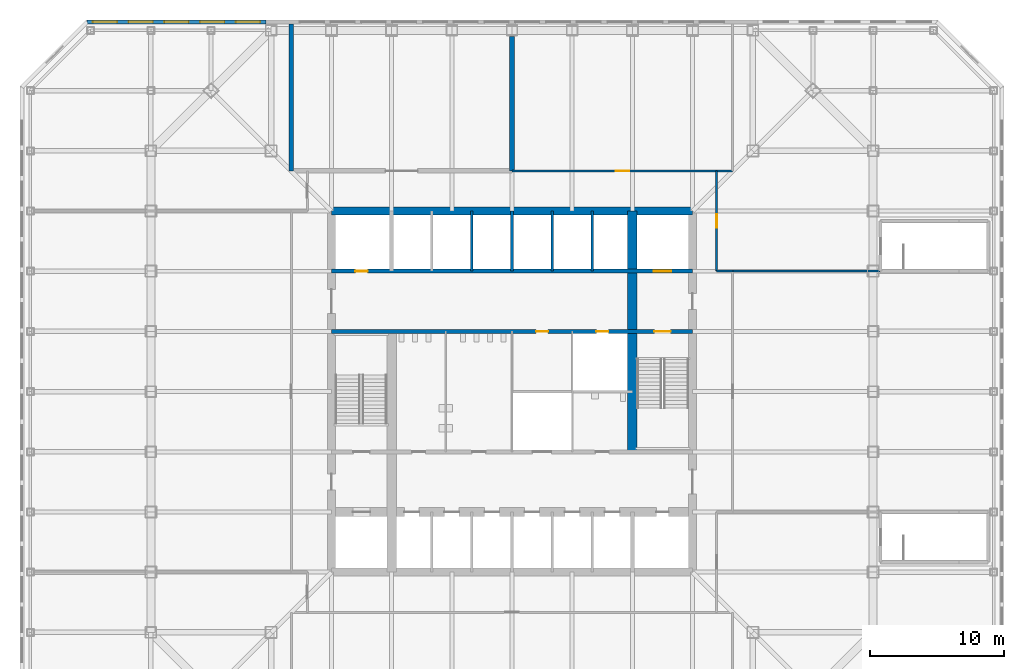
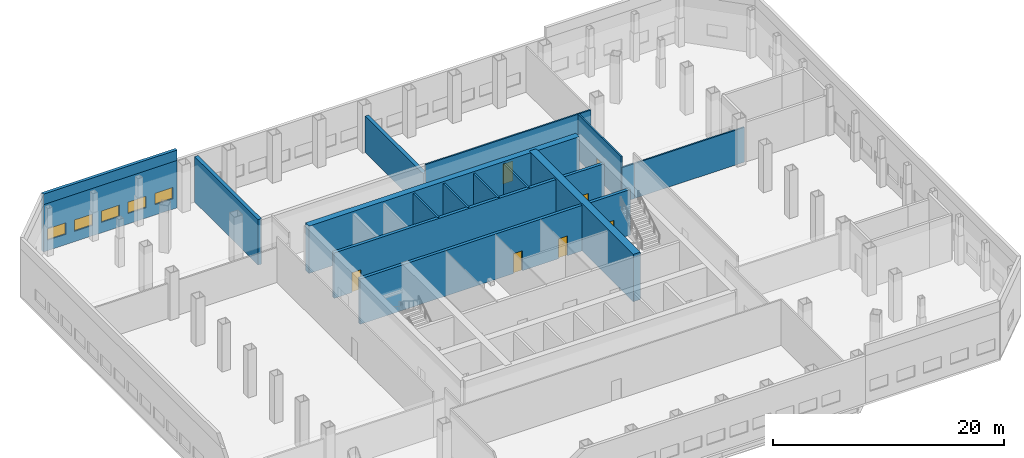
# One storey, part 9 of 14: 16 walls, 7 doors, 5 windows, 12 openings.
"""IFC4 building model written with IfcOpenShell, lengths in metres."""

from ifc_helpers import new_model, si_unit, direction, frame, frame_2d, origin, place, context, subcontext, project, spatial, rectangle, extrude, material, layer, layer_set, type_object, element, fill, save


model = new_model("IFC4")

# Units and contexts
model_context = context("Model", 3, precision=1e-05, world=origin(), true_north=direction((0.0, 1.0)))
body_context = subcontext(model_context, "Body", "Model", "MODEL_VIEW")
ifc_project = project(units=[si_unit("LENGTHUNIT", "METRE"), si_unit("AREAUNIT", "SQUARE_METRE"), si_unit("VOLUMEUNIT", "CUBIC_METRE"), si_unit("PLANEANGLEUNIT", "RADIAN"), si_unit("MASSUNIT", "GRAM", prefix="KILO")], contexts=[model_context])

# Site, building, storey
site_placement = place(None, origin())
site = spatial("IfcSite", under=ifc_project, at=site_placement, CompositionType="ELEMENT")
building_placement = place(site_placement, origin())
building = spatial("IfcBuilding", under=site, at=building_placement, Name="Corais Broadcast Tower", CompositionType="ELEMENT")
storey_placement = place(building_placement, frame((0.0, 0.0, 18.0)))
storey = spatial("IfcBuildingStorey", under=building, at=storey_placement, Name="L03", CompositionType="ELEMENT", Elevation=18.0)

# Wall, openings, doors
ifc_material_1 = material(Name="Concrete blockwork class A, grouted, two-hour", Category="masonry")
ifc_layer_1 = layer(ifc_material_1, 0.300048828125)
ifc_layer_set_1 = layer_set([ifc_layer_1], Name="Concrete blockwork class A, grouted, two-hour")
wall_type_1 = type_object("IfcWallType", Name="Core lobby wall 300", PredefinedType="SOLIDWALL", material=ifc_layer_set_1)
wall_1_placement = place(storey_placement, frame((13.5, 31.5, 0.0), z_axis=(0.0, 0.0, 1.0), x_axis=(1.0, 0.0, 0.0)))
wall_1 = element("IfcWall", 1, at=wall_1_placement, inside=storey, type_object=wall_type_1, Name="CL1 core lobby wall Y315 L03", PredefinedType="SOLIDWALL", context=body_context, shape_type="SweptSolid", body=[
    extrude(rectangle(XDim=27.0, YDim=0.300048828125, at=frame_2d((13.5, 0.0))), origin(), (0.0, 0.0, 1.0), 4.800048828125),
])
opening_1_placement = place(wall_1_placement, frame((24.14990234375, 0.0, 0.0)))
opening_1 = element("IfcOpeningElement", 2, at=opening_1_placement, cuts=wall_1, Name="Opening FD1", PredefinedType="OPENING", context=body_context, shape_type="SweptSolid", body=[
    extrude(rectangle(XDim=1.199951171875, YDim=2.10009765625, at=frame_2d((0.60009765625, 1.050048828125))), frame((0.0, 0.159912109375, 0.0), z_axis=(0.0, -1.0, 0.0), x_axis=(1.0, 0.0, 0.0)), (0.0, 0.0, 1.0), 0.320068359375),
])
opening_2_placement = place(wall_1_placement, frame((15.300048828125, 0.0, 0.0)))
opening_2 = element("IfcOpeningElement", 3, at=opening_2_placement, cuts=wall_1, Name="Opening RD1", PredefinedType="OPENING", context=body_context, shape_type="SweptSolid", body=[
    extrude(rectangle(XDim=0.89990234375, YDim=2.10009765625, at=frame_2d((0.449951171875, 1.050048828125))), frame((0.0, 0.159912109375, 0.0), z_axis=(0.0, -1.0, 0.0), x_axis=(1.0, 0.0, 0.0)), (0.0, 0.0, 1.0), 0.320068359375),
])
opening_3_placement = place(wall_1_placement, frame((19.800048828125, 0.0, 0.0)))
opening_3 = element("IfcOpeningElement", 4, at=opening_3_placement, cuts=wall_1, Name="Opening RD1", PredefinedType="OPENING", context=body_context, shape_type="SweptSolid", body=[
    extrude(rectangle(XDim=0.89990234375, YDim=2.10009765625, at=frame_2d((0.449951171875, 1.050048828125))), frame((0.0, 0.159912109375, 0.0), z_axis=(0.0, -1.0, 0.0), x_axis=(1.0, 0.0, 0.0)), (0.0, 0.0, 1.0), 0.320068359375),
])
ifc_material_2 = material(Name="Steel fire door", Category="steel")
door_type_1 = type_object("IfcDoorType", Name="Fire door 1200x2100", OperationType="SINGLE_SWING_LEFT", PredefinedType="DOOR", material=ifc_material_2)
door_1_placement = place(opening_1_placement, origin())
door_1 = element("IfcDoor", 5, at=door_1_placement, inside=storey, type_object=door_type_1, Name="FD1 stair B door L03", OperationType="SINGLE_SWING_RIGHT", OverallHeight=2.10009765625, OverallWidth=1.199951171875, PredefinedType="DOOR", context=body_context, shape_type="SweptSolid", body=[
    extrude(rectangle(XDim=1.199951171875, YDim=2.10009765625, at=frame_2d((0.60009765625, 1.050048828125))), frame((0.0, 0.02490234375, 0.0), z_axis=(0.0, -1.0, 0.0), x_axis=(1.0, 0.0, 0.0)), (0.0, 0.0, 1.0), 0.050048828125),
])
fill(opening_1, door_1)
ifc_material_3 = material(Name="Steel fire door", Category="steel")
door_type_2 = type_object("IfcDoorType", Name="Riser door 900x2100", OperationType="SINGLE_SWING_LEFT", PredefinedType="DOOR", material=ifc_material_3)
door_2_placement = place(opening_2_placement, origin())
door_2 = element("IfcDoor", 6, at=door_2_placement, inside=storey, type_object=door_type_2, Name="RD1 stationery store door L03", OperationType="SINGLE_SWING_RIGHT", OverallHeight=2.10009765625, OverallWidth=0.89990234375, PredefinedType="DOOR", context=body_context, shape_type="SweptSolid", body=[
    extrude(rectangle(XDim=0.89990234375, YDim=2.10009765625, at=frame_2d((0.449951171875, 1.050048828125))), frame((0.0, 0.02490234375, 0.0), z_axis=(0.0, -1.0, 0.0), x_axis=(1.0, 0.0, 0.0)), (0.0, 0.0, 1.0), 0.050048828125),
])
fill(opening_2, door_2)
door_3_placement = place(opening_3_placement, origin())
door_3 = element("IfcDoor", 7, at=door_3_placement, inside=storey, type_object=door_type_2, Name="RD1 riser door L03", OperationType="SINGLE_SWING_RIGHT", OverallHeight=2.10009765625, OverallWidth=0.89990234375, PredefinedType="DOOR", context=body_context, shape_type="SweptSolid", body=[
    extrude(rectangle(XDim=0.89990234375, YDim=2.10009765625, at=frame_2d((0.449951171875, 1.050048828125))), frame((0.0, 0.02490234375, 0.0), z_axis=(0.0, -1.0, 0.0), x_axis=(1.0, 0.0, 0.0)), (0.0, 0.0, 1.0), 0.050048828125),
])
fill(opening_3, door_3)

# Walls
ifc_material_4 = material(Name="Concrete C50/60", Category="concrete")
ifc_layer_2 = layer(ifc_material_4, 0.699951171875)
ifc_layer_set_2 = layer_set([ifc_layer_2], Name="Concrete C50/60")
wall_type_2 = type_object("IfcWallType", Name="Core spine wall 700", PredefinedType="SHEAR", material=ifc_layer_set_2)
wall_2_placement = place(storey_placement, frame((36.0, 22.5, 0.0), z_axis=(0.0, 0.0, 1.0), x_axis=(0.0, 1.0, 0.0)))
element("IfcWall", 8, at=wall_2_placement, inside=storey, type_object=wall_type_2, Name="CR700 core wall X36B L03", PredefinedType="SHEAR", context=body_context, shape_type="SweptSolid", body=[
    extrude(rectangle(XDim=18.0, YDim=0.699951171875, at=frame_2d((9.0, 0.0))), origin(), (0.0, 0.0, 1.0), 5.0),
])
ifc_material_5 = material(Name="Concrete C50/60", Category="concrete")
ifc_layer_3 = layer(ifc_material_5, 0.60009765625)
ifc_layer_set_3 = layer_set([ifc_layer_3], Name="Concrete C50/60")
wall_type_3 = type_object("IfcWallType", Name="Core wall 600", PredefinedType="SHEAR", material=ifc_layer_set_3)
wall_3_placement = place(storey_placement, frame((40.5, 40.5, 0.0), z_axis=(0.0, 0.0, 1.0), x_axis=(-1.0, 0.0, 0.0)))
element("IfcWall", 9, at=wall_3_placement, inside=storey, type_object=wall_type_3, Name="CR600 core wall N L03", PredefinedType="SHEAR", context=body_context, shape_type="SweptSolid", body=[
    extrude(rectangle(XDim=27.0, YDim=0.60009765625, at=frame_2d((13.5, 0.0))), origin(), (0.0, 0.0, 1.0), 5.0),
])
ifc_material_6 = material(Name="Two leaves of dense concrete blockwork class A with a 50 mm cavity", Category="masonry")
ifc_layer_4 = layer(ifc_material_6, 0.35009765625)
ifc_layer_set_4 = layer_set([ifc_layer_4], Name="Two leaves of dense concrete blockwork class A with a 50 mm cavity")
wall_type_4 = type_object("IfcWallType", Name="Double-leaf acoustic partition 350", PredefinedType="PARTITIONING", material=ifc_layer_set_4)
wall_4_placement = place(storey_placement, frame((27.0, 43.5, 0.0), z_axis=(0.0, 0.0, 1.0), x_axis=(0.0, 1.0, 0.0)))
element("IfcWall", 10, at=wall_4_placement, inside=storey, type_object=wall_type_4, Name="IW4 partition L03", PredefinedType="PARTITIONING", context=body_context, shape_type="SweptSolid", body=[
    extrude(rectangle(XDim=10.06494140625, YDim=0.35009765625, at=frame_2d((5.032470703125, 0.0))), origin(), (0.0, 0.0, 1.0), 3.85791015625),
])
wall_5_placement = place(storey_placement, frame((10.5, 54.47998046875, 0.0), z_axis=(0.0, 0.0, 1.0), x_axis=(0.0, -1.0, 0.0)))
element("IfcWall", 11, at=wall_5_placement, inside=storey, type_object=wall_type_4, Name="IW4 partition L03", PredefinedType="PARTITIONING", context=body_context, shape_type="SweptSolid", body=[
    extrude(rectangle(XDim=10.97998046875, YDim=0.35009765625, at=frame_2d((5.489990234375, 0.0))), origin(), (0.0, 0.0, 1.0), 4.800048828125),
])

# Wall, openings, doors
ifc_material_7 = material(Name="Concrete blockwork class A, grouted, four-hour", Category="masonry")
ifc_layer_5 = layer(ifc_material_7, 0.300048828125)
ifc_layer_set_5 = layer_set([ifc_layer_5], Name="Concrete blockwork class A, grouted, four-hour")
wall_type_5 = type_object("IfcWallType", Name="Emergency lift shaft wall 300", PredefinedType="SOLIDWALL", material=ifc_layer_set_5)
wall_6_placement = place(storey_placement, frame((13.5, 36.0, 0.0), z_axis=(0.0, 0.0, 1.0), x_axis=(1.0, 0.0, 0.0)))
wall_6 = element("IfcWall", 12, at=wall_6_placement, inside=storey, type_object=wall_type_5, Name="LS1 core lobby wall Y36 L03", PredefinedType="SOLIDWALL", context=body_context, shape_type="SweptSolid", body=[
    extrude(rectangle(XDim=27.0, YDim=0.300048828125, at=frame_2d((13.5, 0.0))), origin(), (0.0, 0.0, 1.0), 4.800048828125),
])
opening_4_placement = place(wall_6_placement, frame((1.800048828125, 0.0, 0.0)))
opening_4 = element("IfcOpeningElement", 13, at=opening_4_placement, cuts=wall_6, Name="Opening RD1", PredefinedType="OPENING", context=body_context, shape_type="SweptSolid", body=[
    extrude(rectangle(XDim=0.89990234375, YDim=2.10009765625, at=frame_2d((0.449951171875, 1.050048828125))), frame((0.0, 0.159912109375, 0.0), z_axis=(0.0, -1.0, 0.0), x_axis=(1.0, 0.0, 0.0)), (0.0, 0.0, 1.0), 0.320068359375),
])
opening_5_placement = place(wall_6_placement, frame((24.10009765625, 0.0, 0.0)))
opening_5 = element("IfcOpeningElement", 14, at=opening_5_placement, cuts=wall_6, Name="Opening LD2", PredefinedType="OPENING", context=body_context, shape_type="SweptSolid", body=[
    extrude(rectangle(XDim=1.300048828125, YDim=2.199951171875, at=frame_2d((0.64990234375, 1.10009765625))), frame((0.0, 0.159912109375, 0.0), z_axis=(0.0, -1.0, 0.0), x_axis=(1.0, 0.0, 0.0)), (0.0, 0.0, 1.0), 0.320068359375),
])
ifc_material_8 = material(Name="Stainless steel lift door", Category="steel")
door_type_3 = type_object("IfcDoorType", Name="Lift landing door 1300x2200", OperationType="SLIDING_TO_LEFT", PredefinedType="DOOR", material=ifc_material_8)
door_4_placement = place(opening_5_placement, origin())
door_4 = element("IfcDoor", 15, at=door_4_placement, inside=storey, type_object=door_type_3, Name="LD2 FL2 landing door L03", OperationType="SLIDING_TO_LEFT", OverallHeight=2.199951171875, OverallWidth=1.300048828125, PredefinedType="DOOR", context=body_context, shape_type="SweptSolid", body=[
    extrude(rectangle(XDim=1.300048828125, YDim=2.199951171875, at=frame_2d((0.64990234375, 1.10009765625))), frame((0.0, 0.02490234375, 0.0), z_axis=(0.0, -1.0, 0.0), x_axis=(1.0, 0.0, 0.0)), (0.0, 0.0, 1.0), 0.050048828125),
])
fill(opening_5, door_4)
door_5_placement = place(opening_4_placement, origin())
door_5 = element("IfcDoor", 16, at=door_5_placement, inside=storey, type_object=door_type_2, Name="RD1 riser door L03", OperationType="SINGLE_SWING_LEFT", OverallHeight=2.10009765625, OverallWidth=0.89990234375, PredefinedType="DOOR", context=body_context, shape_type="SweptSolid", body=[
    extrude(rectangle(XDim=0.89990234375, YDim=2.10009765625, at=frame_2d((0.449951171875, 1.050048828125))), frame((0.0, 0.02490234375, 0.0), z_axis=(0.0, -1.0, 0.0), x_axis=(1.0, 0.0, 0.0)), (0.0, 0.0, 1.0), 0.050048828125),
])
fill(opening_4, door_5)

# Wall
ifc_material_9 = material(Name="Precast concrete C40/50", Category="concrete")
ifc_layer_6 = layer(ifc_material_9, 0.300048828125)
ifc_layer_set_6 = layer_set([ifc_layer_6], Name="Precast concrete C40/50")
wall_type_6 = type_object("IfcWallType", Name="Parapet wall 300", PredefinedType="PARAPET", material=ifc_layer_set_6)
wall_7_placement = place(storey_placement, frame((-4.760986328125, 54.6298828125, 5.0), z_axis=(0.0, 0.0, 1.0), x_axis=(1.0, 0.0, 0.0)))
element("IfcWall", 17, at=wall_7_placement, inside=storey, type_object=wall_type_6, Name="PW1 parapet L03", PredefinedType="PARAPET", context=body_context, shape_type="SweptSolid", body=[
    extrude(rectangle(XDim=13.358642578125, YDim=0.300048828125, at=frame_2d((6.67919921875, 0.0))), origin(), (0.0, 0.0, 1.0), 1.10009765625),
])

# Wall, opening, door
ifc_material_10 = material(Name="Gypsum board on steel studs", Category="steel")
ifc_layer_7 = layer(ifc_material_10, 0.14990234375)
ifc_layer_set_7 = layer_set([ifc_layer_7], Name="Gypsum board on steel studs")
wall_type_7 = type_object("IfcWallType", Name="Partition 150", PredefinedType="PARTITIONING", material=ifc_layer_set_7)
wall_8_placement = place(storey_placement, frame((42.300048828125, 36.0, 0.0), z_axis=(0.0, 0.0, 1.0), x_axis=(0.0, 1.0, 0.0)))
wall_8 = element("IfcWall", 18, at=wall_8_placement, inside=storey, type_object=wall_type_7, Name="IW3 corridor wall L03", PredefinedType="PARTITIONING", context=body_context, shape_type="SweptSolid", body=[
    extrude(rectangle(XDim=7.5, YDim=0.14990234375, at=frame_2d((3.75, 0.0))), origin(), (0.0, 0.0, 1.0), 4.800048828125),
])
opening_6_placement = place(wall_8_placement, frame((3.25, 0.0, 0.0)))
opening_6 = element("IfcOpeningElement", 19, at=opening_6_placement, cuts=wall_8, Name="Opening D1", PredefinedType="OPENING", context=body_context, shape_type="SweptSolid", body=[
    extrude(rectangle(XDim=1.0, YDim=2.10009765625, at=frame_2d((0.5, 1.050048828125))), frame((0.0, 0.0849609375, 0.0), z_axis=(0.0, -1.0, 0.0), x_axis=(1.0, 0.0, 0.0)), (0.0, 0.0, 1.0), 0.169921875),
])
ifc_material_11 = material(Name="Timber door", Category="wood")
door_type_4 = type_object("IfcDoorType", Name="Single door 1000x2100", OperationType="SINGLE_SWING_LEFT", PredefinedType="DOOR", material=ifc_material_11)
door_6_placement = place(opening_6_placement, origin())
door_6 = element("IfcDoor", 20, at=door_6_placement, inside=storey, type_object=door_type_4, Name="D1 workplace door L03", OperationType="SINGLE_SWING_LEFT", OverallHeight=2.10009765625, OverallWidth=1.0, PredefinedType="DOOR", context=body_context, shape_type="SweptSolid", body=[
    extrude(rectangle(XDim=1.0, YDim=2.10009765625, at=frame_2d((0.5, 1.050048828125))), frame((0.0, 0.02490234375, 0.0), z_axis=(0.0, -1.0, 0.0), x_axis=(1.0, 0.0, 0.0)), (0.0, 0.0, 1.0), 0.050048828125),
])
fill(opening_6, door_6)

# Wall
wall_9_placement = place(storey_placement, frame((43.510009765625, 36.0, 0.0), z_axis=(0.0, 0.0, 1.0), x_axis=(-1.0, 0.0, 0.0)))
element("IfcWall", 21, at=wall_9_placement, inside=storey, type_object=wall_type_7, Name="IW3 corridor wall L03", PredefinedType="PARTITIONING", context=body_context, shape_type="SweptSolid", body=[
    extrude(rectangle(XDim=1.2099609375, YDim=0.14990234375, at=frame_2d((0.60498046875, 0.0))), origin(), (0.0, 0.0, 1.0), 3.681884765625),
])

# Wall, opening, door
wall_10_placement = place(storey_placement, frame((27.0, 43.5, 0.0), z_axis=(0.0, 0.0, 1.0), x_axis=(1.0, 0.0, 0.0)))
wall_10 = element("IfcWall", 22, at=wall_10_placement, inside=storey, type_object=wall_type_7, Name="IW3 partition L03", PredefinedType="PARTITIONING", context=body_context, shape_type="SweptSolid", body=[
    extrude(rectangle(XDim=16.5, YDim=0.14990234375, at=frame_2d((8.25, 0.0))), origin(), (0.0, 0.0, 1.0), 4.800048828125),
])
opening_7_placement = place(wall_10_placement, frame((7.75, 0.0, 0.0)))
opening_7 = element("IfcOpeningElement", 23, at=opening_7_placement, cuts=wall_10, Name="Opening D1", PredefinedType="OPENING", context=body_context, shape_type="SweptSolid", body=[
    extrude(rectangle(XDim=1.0, YDim=2.10009765625, at=frame_2d((0.5, 1.050048828125))), frame((0.0, 0.0849609375, 0.0), z_axis=(0.0, -1.0, 0.0), x_axis=(1.0, 0.0, 0.0)), (0.0, 0.0, 1.0), 0.169921875),
])
door_7_placement = place(opening_7_placement, origin())
door_7 = element("IfcDoor", 24, at=door_7_placement, inside=storey, type_object=door_type_4, Name="D1 Equipment room door", OperationType="SINGLE_SWING_LEFT", OverallHeight=2.10009765625, OverallWidth=1.0, PredefinedType="DOOR", context=body_context, shape_type="SweptSolid", body=[
    extrude(rectangle(XDim=1.0, YDim=2.10009765625, at=frame_2d((0.5, 1.050048828125))), frame((0.0, 0.02490234375, 0.0), z_axis=(0.0, -1.0, 0.0), x_axis=(1.0, 0.0, 0.0)), (0.0, 0.0, 1.0), 0.050048828125),
])
fill(opening_7, door_7)

# Walls
wall_11_placement = place(storey_placement, frame((54.5, 36.0, 0.0), z_axis=(0.0, 0.0, 1.0), x_axis=(-1.0, 0.0, 0.0)))
element("IfcWall", 25, at=wall_11_placement, inside=storey, type_object=wall_type_7, Name="IW3 partition L03", PredefinedType="PARTITIONING", context=body_context, shape_type="SweptSolid", body=[
    extrude(rectangle(XDim=11.0, YDim=0.14990234375, at=frame_2d((5.5, 0.0))), origin(), (0.0, 0.0, 1.0), 3.681884765625),
])
ifc_material_12 = material(Name="Concrete blockwork class A, grouted, two-hour", Category="masonry")
ifc_layer_8 = layer(ifc_material_12, 0.199951171875)
ifc_layer_set_8 = layer_set([ifc_layer_8], Name="Concrete blockwork class A, grouted, two-hour")
wall_type_8 = type_object("IfcWallType", Name="Shaft wall 200", PredefinedType="PARTITIONING", material=ifc_layer_set_8)
for number, where, z_axis, x_axis, name in (
    (26, (24.0, 36.0, 0.0), (0.0, 0.0, 1.0), (0.0, 1.0, 0.0), "IW1 shaft wall L03"),
    (27, (27.0, 36.0, 0.0), (0.0, 0.0, 1.0), (0.0, 1.0, 0.0), "IW1 shaft wall L03"),
    (28, (30.0, 36.0, 0.0), (0.0, 0.0, 1.0), (0.0, 1.0, 0.0), "IW1 shaft wall L03"),
    (29, (33.0, 36.0, 0.0), (0.0, 0.0, 1.0), (0.0, 1.0, 0.0), "IW1 shaft wall L03"),
):
    element("IfcWall", number, at=place(storey_placement, frame(where, z_axis=z_axis, x_axis=x_axis)), inside=storey, type_object=wall_type_8, Name=name, PredefinedType="PARTITIONING", context=body_context, shape_type="SweptSolid", body=[
        extrude(rectangle(XDim=4.5, YDim=0.199951171875, at=frame_2d((2.25, 0.0))), origin(), (0.0, 0.0, 1.0), 4.800048828125),
    ])

# Wall, openings, windows
ifc_material_13 = material(Name="Precast concrete C40/50", Category="concrete")
ifc_layer_9 = layer(ifc_material_13, 0.300048828125)
ifc_layer_set_9 = layer_set([ifc_layer_9], Name="Precast concrete C40/50")
wall_type_9 = type_object("IfcWallType", Name="Stone-faced precast wall 300", PredefinedType="SOLIDWALL", material=ifc_layer_set_9)
wall_12_placement = place(storey_placement, frame((-4.760986328125, 54.6298828125, 0.0), z_axis=(0.0, 0.0, 1.0), x_axis=(1.0, 0.0, 0.0)))
wall_12 = element("IfcWall", 30, at=wall_12_placement, inside=storey, type_object=wall_type_9, Name="EW1 external wall L03 4", PredefinedType="SOLIDWALL", context=body_context, shape_type="SweptSolid", body=[
    extrude(rectangle(XDim=13.358642578125, YDim=0.300048828125, at=frame_2d((6.67919921875, 0.0))), origin(), (0.0, 0.0, 1.0), 5.0),
])
opening_8_placement = place(wall_12_placement, frame((0.435791015625, 0.0, 1.10009765625)))
opening_8 = element("IfcOpeningElement", 31, at=opening_8_placement, cuts=wall_12, Name="Opening W1", PredefinedType="OPENING", context=body_context, shape_type="SweptSolid", body=[
    extrude(rectangle(XDim=1.800048828125, YDim=1.199951171875, at=frame_2d((0.89990234375, 0.60009765625))), frame((0.0, 0.159912109375, 0.0), z_axis=(0.0, -1.0, 0.0), x_axis=(1.0, 0.0, 0.0)), (0.0, 0.0, 1.0), 0.320068359375),
])
opening_9_placement = place(wall_12_placement, frame((3.107666015625, 0.0, 1.10009765625)))
opening_9 = element("IfcOpeningElement", 32, at=opening_9_placement, cuts=wall_12, Name="Opening W1", PredefinedType="OPENING", context=body_context, shape_type="SweptSolid", body=[
    extrude(rectangle(XDim=1.800048828125, YDim=1.199951171875, at=frame_2d((0.89990234375, 0.60009765625))), frame((0.0, 0.159912109375, 0.0), z_axis=(0.0, -1.0, 0.0), x_axis=(1.0, 0.0, 0.0)), (0.0, 0.0, 1.0), 0.320068359375),
])
opening_10_placement = place(wall_12_placement, frame((5.779296875, 0.0, 1.10009765625)))
opening_10 = element("IfcOpeningElement", 33, at=opening_10_placement, cuts=wall_12, Name="Opening W1", PredefinedType="OPENING", context=body_context, shape_type="SweptSolid", body=[
    extrude(rectangle(XDim=1.800048828125, YDim=1.199951171875, at=frame_2d((0.89990234375, 0.60009765625))), frame((0.0, 0.159912109375, 0.0), z_axis=(0.0, -1.0, 0.0), x_axis=(1.0, 0.0, 0.0)), (0.0, 0.0, 1.0), 0.320068359375),
])
opening_11_placement = place(wall_12_placement, frame((8.450927734375, 0.0, 1.10009765625)))
opening_11 = element("IfcOpeningElement", 34, at=opening_11_placement, cuts=wall_12, Name="Opening W1", PredefinedType="OPENING", context=body_context, shape_type="SweptSolid", body=[
    extrude(rectangle(XDim=1.800048828125, YDim=1.199951171875, at=frame_2d((0.89990234375, 0.60009765625))), frame((0.0, 0.159912109375, 0.0), z_axis=(0.0, -1.0, 0.0), x_axis=(1.0, 0.0, 0.0)), (0.0, 0.0, 1.0), 0.320068359375),
])
opening_12_placement = place(wall_12_placement, frame((11.122802734375, 0.0, 1.10009765625)))
opening_12 = element("IfcOpeningElement", 35, at=opening_12_placement, cuts=wall_12, Name="Opening W1", PredefinedType="OPENING", context=body_context, shape_type="SweptSolid", body=[
    extrude(rectangle(XDim=1.800048828125, YDim=1.199951171875, at=frame_2d((0.89990234375, 0.60009765625))), frame((0.0, 0.159912109375, 0.0), z_axis=(0.0, -1.0, 0.0), x_axis=(1.0, 0.0, 0.0)), (0.0, 0.0, 1.0), 0.320068359375),
])
ifc_material_14 = material(Name="Aluminium frame", Category="aluminium")
window_type = type_object("IfcWindowType", Name="Fixed window 1800x1200", PartitioningType="SINGLE_PANEL", PredefinedType="WINDOW", material=ifc_material_14)
window_1_placement = place(opening_8_placement, origin())
window_1 = element("IfcWindow", 36, at=window_1_placement, inside=storey, type_object=window_type, Name="W1 window L03", OverallHeight=1.199951171875, OverallWidth=1.800048828125, PartitioningType="SINGLE_PANEL", PredefinedType="WINDOW", context=body_context, shape_type="SweptSolid", body=[
    extrude(rectangle(XDim=1.800048828125, YDim=1.199951171875, at=frame_2d((0.89990234375, 0.60009765625))), frame((0.0, 0.030029296875, 0.0), z_axis=(0.0, -1.0, 0.0), x_axis=(1.0, 0.0, 0.0)), (0.0, 0.0, 1.0), 0.06005859375),
])
fill(opening_8, window_1)
window_2_placement = place(opening_9_placement, origin())
window_2 = element("IfcWindow", 37, at=window_2_placement, inside=storey, type_object=window_type, Name="W1 window L03", OverallHeight=1.199951171875, OverallWidth=1.800048828125, PartitioningType="SINGLE_PANEL", PredefinedType="WINDOW", context=body_context, shape_type="SweptSolid", body=[
    extrude(rectangle(XDim=1.800048828125, YDim=1.199951171875, at=frame_2d((0.89990234375, 0.60009765625))), frame((0.0, 0.030029296875, 0.0), z_axis=(0.0, -1.0, 0.0), x_axis=(1.0, 0.0, 0.0)), (0.0, 0.0, 1.0), 0.06005859375),
])
fill(opening_9, window_2)
window_3_placement = place(opening_10_placement, origin())
window_3 = element("IfcWindow", 38, at=window_3_placement, inside=storey, type_object=window_type, Name="W1 window L03", OverallHeight=1.199951171875, OverallWidth=1.800048828125, PartitioningType="SINGLE_PANEL", PredefinedType="WINDOW", context=body_context, shape_type="SweptSolid", body=[
    extrude(rectangle(XDim=1.800048828125, YDim=1.199951171875, at=frame_2d((0.89990234375, 0.60009765625))), frame((0.0, 0.030029296875, 0.0), z_axis=(0.0, -1.0, 0.0), x_axis=(1.0, 0.0, 0.0)), (0.0, 0.0, 1.0), 0.06005859375),
])
fill(opening_10, window_3)
window_4_placement = place(opening_11_placement, origin())
window_4 = element("IfcWindow", 39, at=window_4_placement, inside=storey, type_object=window_type, Name="W1 window L03", OverallHeight=1.199951171875, OverallWidth=1.800048828125, PartitioningType="SINGLE_PANEL", PredefinedType="WINDOW", context=body_context, shape_type="SweptSolid", body=[
    extrude(rectangle(XDim=1.800048828125, YDim=1.199951171875, at=frame_2d((0.89990234375, 0.60009765625))), frame((0.0, 0.030029296875, 0.0), z_axis=(0.0, -1.0, 0.0), x_axis=(1.0, 0.0, 0.0)), (0.0, 0.0, 1.0), 0.06005859375),
])
fill(opening_11, window_4)
window_5_placement = place(opening_12_placement, origin())
window_5 = element("IfcWindow", 40, at=window_5_placement, inside=storey, type_object=window_type, Name="W1 window L03", OverallHeight=1.199951171875, OverallWidth=1.800048828125, PartitioningType="SINGLE_PANEL", PredefinedType="WINDOW", context=body_context, shape_type="SweptSolid", body=[
    extrude(rectangle(XDim=1.800048828125, YDim=1.199951171875, at=frame_2d((0.89990234375, 0.60009765625))), frame((0.0, 0.030029296875, 0.0), z_axis=(0.0, -1.0, 0.0), x_axis=(1.0, 0.0, 0.0)), (0.0, 0.0, 1.0), 0.06005859375),
])
fill(opening_12, window_5)

save(model, "model.ifc")
